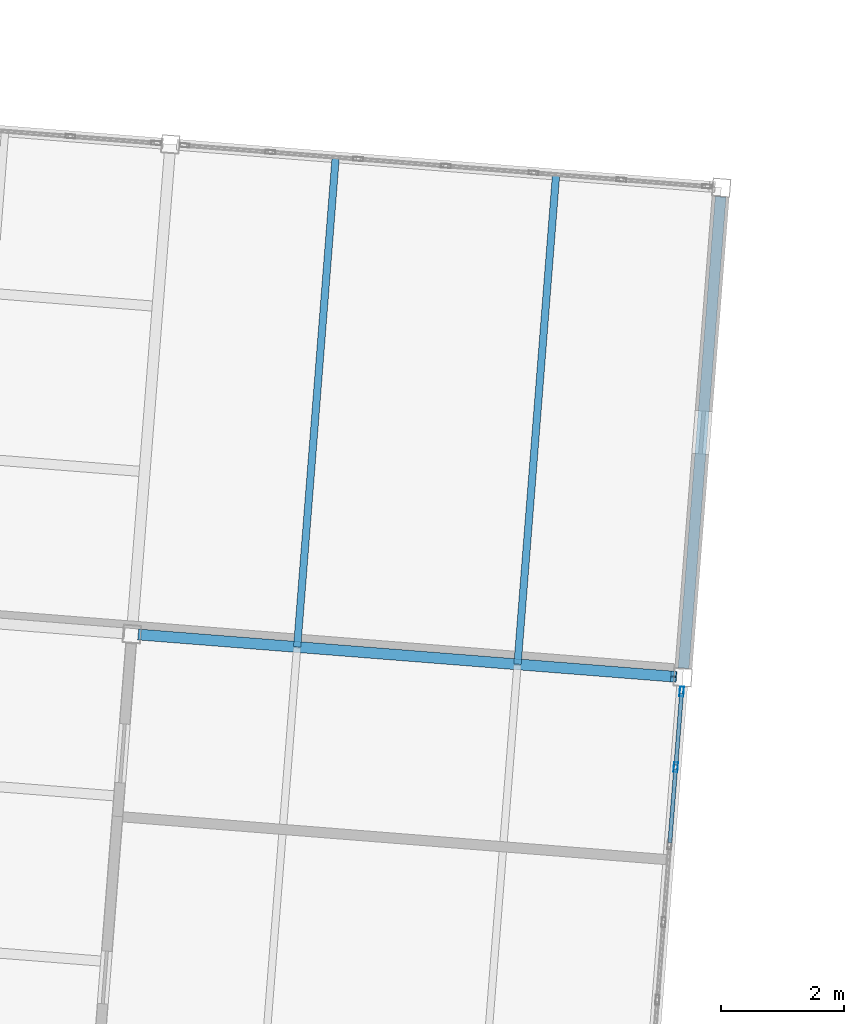
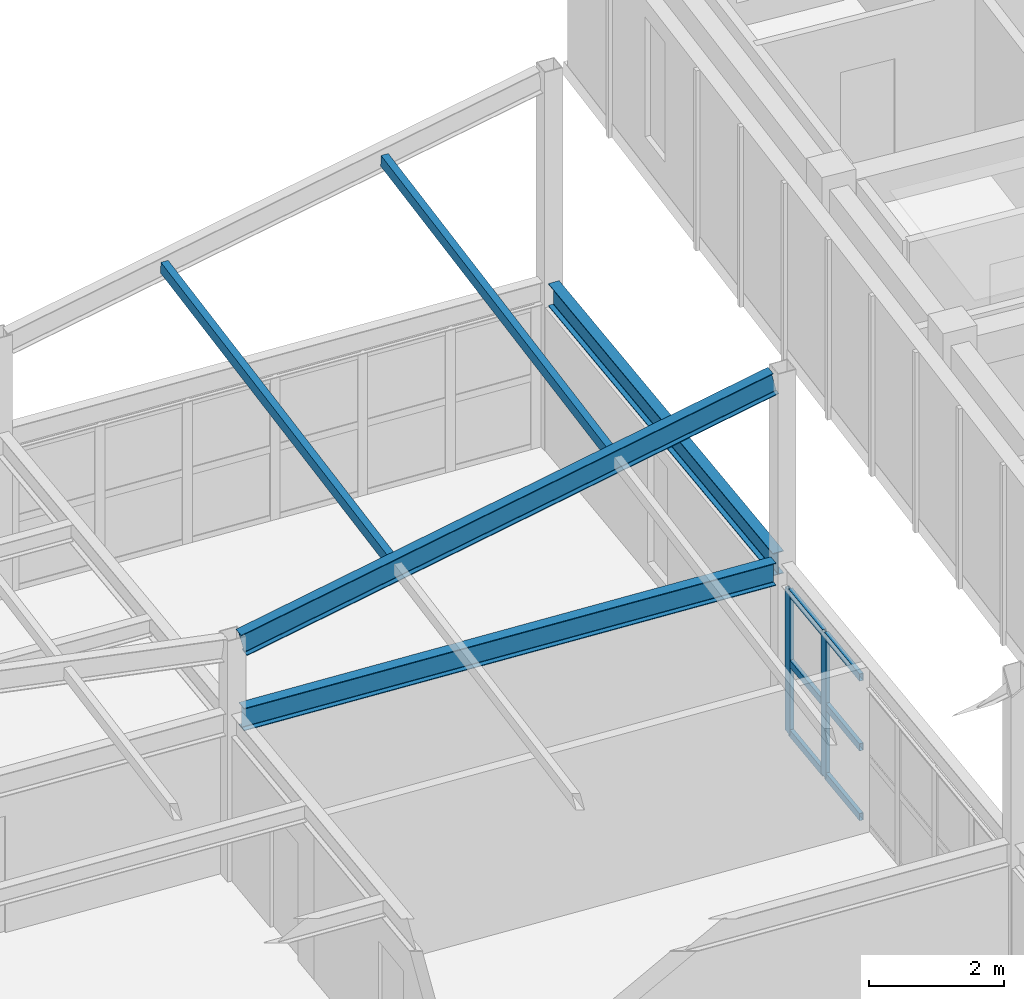
# One storey, part 52 of 127: 10 members, 3 beams, 1 element without a shape of its own.
"""IFC4 building model written with IfcOpenShell, lengths in metres."""

import ifcopenshell
import ifcopenshell.guid

model = None  # the IFC model being written
_history = None  # IfcOwnerHistory: only IFC2X3 demands one
_inside = {}  # id of a spatial element -> (the spatial element, [elements in it])
_under = {}  # id of a project, library or spatial element -> (it, [spatial elements below it])
_declared = {}  # id of a project -> (the project, [libraries it declares])
_typed = {}  # id of a type object -> (the type object, [elements of that type])
_made_of = {}  # id of a material, layer set ... -> (it, [elements and type objects made of it])


def new_model(schema):
    """Start an empty IFC model of exactly this schema.

    Asked for "IFC4X3", IfcOpenShell would pick the latest addendum, in which some entities
    have other attributes; the version numbers below select the first issue.
    IFC2X3 requires an IfcOwnerHistory on every rooted entity: one is made here for all.
    """
    global model, _history
    if schema == "IFC4X3":
        model = ifcopenshell.file(schema_version=(4, 3, 0, 0))
    else:
        model = ifcopenshell.file(schema=schema)
    _inside.clear()
    _under.clear()
    _declared.clear()
    _typed.clear()
    _made_of.clear()
    _history = None
    if model.schema == "IFC2X3":
        org = make("IfcOrganization", Name="unknown")
        user = make(
            "IfcPersonAndOrganization",
            ThePerson=make("IfcPerson", FamilyName="unknown"),
            TheOrganization=org,
        )
        app = make(
            "IfcApplication",
            ApplicationDeveloper=org,
            Version="unknown",
            ApplicationFullName="unknown",
            ApplicationIdentifier="unknown",
        )
        _history = make(
            "IfcOwnerHistory",
            OwningUser=user,
            OwningApplication=app,
            ChangeAction="ADDED",
            CreationDate=0,
        )
    return model


def make(cls, **values):
    """One entity of the class cls with the attributes given. An attribute that is None is left unset."""
    return model.create_entity(
        cls, **{name: value for name, value in values.items() if value is not None}
    )


def rooted(cls, **values):
    """An entity with a GlobalId (a new one), such as an element, a storey or a relation."""
    return make(cls, GlobalId=ifcopenshell.guid.new(), OwnerHistory=_history, **values)


def si_unit(unit_type, name, prefix=None):
    """IfcSIUnit, for example si_unit("LENGTHUNIT", "METRE", prefix="MILLI")."""
    return make("IfcSIUnit", UnitType=unit_type, Prefix=prefix, Name=name)


def assignment(units):
    """IfcUnitAssignment: the units of a project."""
    return None if units is None else make("IfcUnitAssignment", Units=units)


def point(xyz):
    """IfcCartesianPoint."""
    return None if xyz is None else make("IfcCartesianPoint", Coordinates=xyz)


def direction(xyz):
    """IfcDirection."""
    return None if xyz is None else make("IfcDirection", DirectionRatios=xyz)


def frame(location, z_axis=None, x_axis=None):
    """IfcAxis2Placement3D, a coordinate frame: its origin and axes. An axis left out is left unset."""
    return make(
        "IfcAxis2Placement3D",
        Location=point(location),
        Axis=direction(z_axis),
        RefDirection=direction(x_axis),
    )


def frame_2d(location, x_axis=None):
    """IfcAxis2Placement2D, a coordinate frame in the plane: its origin and x axis."""
    return make(
        "IfcAxis2Placement2D", Location=point(location), RefDirection=direction(x_axis)
    )


def origin():
    """The frame at (0, 0, 0) with its axes left unset."""
    return frame((0.0, 0.0, 0.0))


def origin_2d():
    """The frame at (0, 0) in the plane with its x axis left unset."""
    return frame_2d((0.0, 0.0))


def place(relative_to, where):
    """IfcLocalPlacement: puts the frame where relative to a parent placement (None: the world)."""
    return make(
        "IfcLocalPlacement", PlacementRelTo=relative_to, RelativePlacement=where
    )


def context(
    kind, dimensions, precision=None, world=None, true_north=None, identifier=None
):
    """IfcGeometricRepresentationContext, for example the 3D "Model" context."""
    return make(
        "IfcGeometricRepresentationContext",
        ContextIdentifier=identifier,
        ContextType=kind,
        CoordinateSpaceDimension=dimensions,
        Precision=precision,
        WorldCoordinateSystem=world,
        TrueNorth=true_north,
    )


def subcontext(parent, identifier, kind, view, scale=None):
    """IfcGeometricRepresentationSubContext, for example "Body" below "Model"."""
    return make(
        "IfcGeometricRepresentationSubContext",
        ContextIdentifier=identifier,
        ContextType=kind,
        ParentContext=parent,
        TargetScale=scale,
        TargetView=view,
    )


def project(units=None, contexts=None):
    """IfcProject with its units and contexts."""
    return rooted(
        "IfcProject",
        Name="project",
        RepresentationContexts=contexts,
        UnitsInContext=assignment(units),
    )


def spatial(cls, under=None, at=None, **own):
    """A site, building, storey or space (cls), placed at a placement, below another one or the project."""
    s = rooted(cls, ObjectPlacement=at, **own)
    if under is not None:
        _under.setdefault(under.id(), (under, []))[1].append(s)
    return s


def profile(cls, at=None, kind="AREA", **sizes):
    """A parametric profile (cls). Its sizes go by their IFC names, for example OverallWidth=200.0."""
    return make(cls, ProfileType=kind, Position=at, **sizes)


def hollow_rectangle(**sizes):
    """IfcRectangleHollowProfileDef."""
    return profile("IfcRectangleHollowProfileDef", **sizes)


def i_section(**sizes):
    """IfcIShapeProfileDef."""
    return profile("IfcIShapeProfileDef", **sizes)


def extrude(swept, where, along, depth):
    """IfcExtrudedAreaSolid: the profile swept, set in the frame where, extruded along a direction by depth."""
    return make(
        "IfcExtrudedAreaSolid",
        SweptArea=swept,
        Position=where,
        ExtrudedDirection=direction(along),
        Depth=depth,
    )


def shape(context_of_items, identifier, shape_type, items):
    """IfcShapeRepresentation: the items that make up one representation, for example the "Body"."""
    return make(
        "IfcShapeRepresentation",
        ContextOfItems=context_of_items,
        RepresentationIdentifier=identifier,
        RepresentationType=shape_type,
        Items=items,
    )


def material(Name=None, Category=None):
    """IfcMaterial."""
    return make("IfcMaterial", Name=Name, Category=Category)


def material_profile(
    of_material, cross_section, Name=None, Category=None, Priority=None
):
    """IfcMaterialProfile: a cross section and its material."""
    return make(
        "IfcMaterialProfile",
        Name=Name,
        Material=of_material,
        Profile=cross_section,
        Priority=Priority,
        Category=Category,
    )


def profile_set(profiles, Name=None, composite=None):
    """IfcMaterialProfileSet."""
    return make(
        "IfcMaterialProfileSet",
        Name=Name,
        MaterialProfiles=profiles,
        CompositeProfile=composite,
    )


def made_of(thing, what):
    """Note that an element or type object is made of a material, layer set ...; save() writes the relation."""
    if what is not None:
        _made_of.setdefault(what.id(), (what, []))[1].append(thing)
    return thing


def type_object(cls, material=None, **own):
    """A type object (cls), such as IfcWallType, which elements share."""
    return made_of(rooted(cls, **own), material)


def element(
    cls,
    number,
    at=None,
    inside=None,
    cuts=None,
    type_object=None,
    material=None,
    context=None,
    identifier="Body",
    shape_type=None,
    held_by="IfcProductDefinitionShape",
    body=None,
    shapes=None,
    **own,
):
    """One element of the class cls, such as IfcWall. Its Tag is "e" and its number.

    at: its placement. inside: the storey or other place that contains it. cuts: it is an
    opening in that element (IfcRelVoidsElement). A single representation is given by context,
    identifier, shape_type and body (its items); several are given by shapes. held_by: the class
    of the entity that holds the representations. save() writes the other relations.
    """
    e = rooted(cls, Tag="e%d" % number, ObjectPlacement=at, **own)
    if body is not None:
        shapes = [shape(context, identifier, shape_type, body)]
    if shapes is not None:
        e.Representation = make(held_by, Representations=shapes)
    if inside is not None:
        _inside.setdefault(inside.id(), (inside, []))[1].append(e)
    if cuts is not None:
        rooted(
            "IfcRelVoidsElement", RelatingBuildingElement=cuts, RelatedOpeningElement=e
        )
    if type_object is not None:
        _typed.setdefault(type_object.id(), (type_object, []))[1].append(e)
    return made_of(e, material)


def aggregate(whole, parts):
    """IfcRelAggregates: a whole, such as a stair, and the parts it consists of."""
    return rooted("IfcRelAggregates", RelatingObject=whole, RelatedObjects=parts)


def save(model, path):
    """Write the relations noted so far, then the file.

    IfcRelAggregates (storeys below a building ...), IfcRelContainedInSpatialStructure (elements
    in a storey), IfcRelDefinesByType, IfcRelAssociatesMaterial and IfcRelDeclares: one each for
    every whole, place, type object, material and project.
    """
    for whole, parts in _under.values():
        aggregate(whole, parts)
    for where, things in _inside.values():
        rooted(
            "IfcRelContainedInSpatialStructure",
            RelatedElements=things,
            RelatingStructure=where,
        )
    for kind, things in _typed.values():
        rooted("IfcRelDefinesByType", RelatedObjects=things, RelatingType=kind)
    for what, things in _made_of.values():
        rooted("IfcRelAssociatesMaterial", RelatedObjects=things, RelatingMaterial=what)
    for by, libraries in _declared.values():
        rooted("IfcRelDeclares", RelatingContext=by, RelatedDefinitions=libraries)
    model.write(path)


model = new_model("IFC4")

# Units and contexts
model_context = context("Model", 3, precision=1e-05, world=origin(), true_north=direction((0.0, 1.0)))
body_context = subcontext(model_context, "Body", "Model", "MODEL_VIEW")
ifc_project = project(units=[si_unit("LENGTHUNIT", "METRE"), si_unit("AREAUNIT", "SQUARE_METRE"), si_unit("VOLUMEUNIT", "CUBIC_METRE"), si_unit("PLANEANGLEUNIT", "RADIAN"), si_unit("MASSUNIT", "GRAM", prefix="KILO")], contexts=[model_context])

# Site, building, storey
site_placement = place(None, origin())
site = spatial("IfcSite", under=ifc_project, at=site_placement, CompositionType="ELEMENT")
building_placement = place(site_placement, origin())
building = spatial("IfcBuilding", under=site, at=building_placement, Name="Kestramere Prow Commons", CompositionType="ELEMENT")
storey_placement = place(building_placement, frame((0.0, 0.0, 8.39990234375)))
storey = spatial("IfcBuildingStorey", under=building, at=storey_placement, Name="L02", CompositionType="ELEMENT", Elevation=8.39990234375)

# Beams
ifc_material_1 = material(Name="Steel S355JR", Category="steel")
ifc_material_profile_1 = material_profile(ifc_material_1, i_section(OverallWidth=0.177978515625, OverallDepth=0.406494140625, WebThickness=0.0078125, FlangeThickness=0.0126953125, FilletRadius=0.01025390625, at=origin_2d()), Name="UB 406x178x60")
ifc_profile_set_1 = profile_set([ifc_material_profile_1], Name="Steel S355JR")
beam_type_1 = type_object("IfcBeamType", Name="BM-NR-01 UB 406x178x60", PredefinedType="BEAM", material=ifc_profile_set_1)
beam_1_placement = place(storey_placement, frame((96.921630859375, 99.320556640625, 2.796875), z_axis=(0.996917066238, -0.078462494502, 0.0), x_axis=(0.078462494502, 0.996917066238, 0.0)))
element("IfcBeam", 1, at=beam_1_placement, inside=storey, type_object=beam_type_1, Name="Nursery L02 Beam U 3-4", PredefinedType="BEAM", context=body_context, shape_type="SweptSolid", body=[
    extrude(i_section(OverallWidth=0.177978515625, OverallDepth=0.406494140625, WebThickness=0.0078125, FlangeThickness=0.0126953125, FilletRadius=0.01025390625, at=origin_2d()), origin(), (0.0, 0.0, 1.0), 8.699951171875),
])
beam_2_placement = place(storey_placement, frame((96.921630859375, 99.320556640625, 4.133544921875), z_axis=(0.969082353099, -0.076271759585, 0.234652959926), x_axis=(0.078462494502, 0.996917066238, 0.0)))
element("IfcBeam", 2, at=beam_2_placement, inside=storey, type_object=beam_type_1, Name="Nursery Butterfly Rafter 3-4", PredefinedType="BEAM", context=body_context, shape_type="SweptSolid", body=[
    extrude(i_section(OverallWidth=0.177978515625, OverallDepth=0.406494140625, WebThickness=0.0078125, FlangeThickness=0.0126953125, FilletRadius=0.01025390625, at=origin_2d()), origin(), (0.0, 0.0, 1.0), 8.94970703125),
])
ifc_material_profile_2 = material_profile(ifc_material_1, i_section(OverallWidth=0.177978515625, OverallDepth=0.406494140625, WebThickness=0.0078125, FlangeThickness=0.0126953125, FilletRadius=0.01025390625, at=origin_2d()), Name="UB 406x178x60")
ifc_profile_set_2 = profile_set([ifc_material_profile_2], Name="Steel S355JR")
beam_type_2 = type_object("IfcBeamType", Name="BM-NR-01 UB 406x178x60 (EX)", PredefinedType="BEAM", material=ifc_profile_set_2)
beam_3_placement = place(storey_placement, frame((105.756103515625, 98.775634765625, 2.796875), z_axis=(0.078473620365, 0.996916190513, 0.0), x_axis=(-0.996916190513, 0.078473620365, 0.0)))
element("IfcBeam", 3, at=beam_3_placement, inside=storey, type_object=beam_type_2, Name="Nursery L02 Beam V 5-3", PredefinedType="BEAM", context=body_context, shape_type="SweptSolid", body=[
    extrude(i_section(OverallWidth=0.177978515625, OverallDepth=0.406494140625, WebThickness=0.0078125, FlangeThickness=0.0126953125, FilletRadius=0.01025390625, at=origin_2d()), origin(), (0.0, 0.0, 1.0), 7.699951171875),
])

# Curtain wall, members
ifc_material_2 = material(Name="Anodised Aluminium and Low-E Glass", Category="aluminium")
curtain_wall_type = type_object("IfcCurtainWallType", Name="CW-18 Glazed Curtain Wall 7600x2580", PredefinedType="USERDEFINED", material=ifc_material_2)
curtain_wall_placement = place(storey_placement, origin())
curtain_wall = element("IfcCurtainWall", 4, at=curtain_wall_placement, inside=storey, type_object=curtain_wall_type, Name="Nursery L02 E End Glazing", ObjectType="GLAZED CURTAIN WALL", PredefinedType="USERDEFINED")
ifc_material_3 = material(Name="Anodised Aluminium 6063-T6", Category="aluminium")
ifc_material_profile_3 = material_profile(ifc_material_3, hollow_rectangle(XDim=0.06494140625, YDim=0.159912109375, WallThickness=0.00390625, at=origin_2d()), Name="ALU-MUL 65x160")
ifc_profile_set_3 = profile_set([ifc_material_profile_3], Name="Anodised Aluminium 6063-T6")
member_type_1 = type_object("IfcMemberType", Name="CW-MUL-65x160", PredefinedType="MULLION", material=ifc_profile_set_3)
member_1_placement = place(storey_placement, frame((105.72607421875, 98.394287109375, 0.0), z_axis=(0.0, 0.0, 1.0), x_axis=(0.996917334449, -0.078459086628, 0.0)))
member_1 = element("IfcMember", 5, at=member_1_placement, type_object=member_type_1, Name="CW-18 mullion 1", PredefinedType="MULLION", context=body_context, shape_type="SweptSolid", body=[
    extrude(hollow_rectangle(XDim=0.06494140625, YDim=0.159912109375, WallThickness=0.00390625, at=origin_2d()), origin(), (0.0, 0.0, 1.0), 2.580078125),
])
member_2_placement = place(storey_placement, frame((105.62939453125, 97.1640625, 0.0), z_axis=(0.0, 0.0, 1.0), x_axis=(0.996917334449, -0.078459086628, 0.0)))
member_2 = element("IfcMember", 6, at=member_2_placement, type_object=member_type_1, Name="CW-18 mullion 2", PredefinedType="MULLION", context=body_context, shape_type="SweptSolid", body=[
    extrude(hollow_rectangle(XDim=0.06494140625, YDim=0.159912109375, WallThickness=0.00390625, at=origin_2d()), origin(), (0.0, 0.0, 1.0), 2.580078125),
])
ifc_material_profile_4 = material_profile(ifc_material_3, hollow_rectangle(XDim=0.06494140625, YDim=0.1298828125, WallThickness=0.00390625, at=origin_2d()), Name="ALU-TRN 65x130")
ifc_profile_set_4 = profile_set([ifc_material_profile_4], Name="Anodised Aluminium 6063-T6")
member_type_2 = type_object("IfcMemberType", Name="CW-TRN-65x130", PredefinedType="USERDEFINED", material=ifc_profile_set_4)
member_3_placement = place(storey_placement, frame((105.7236328125, 98.362060546875, 0.03271484375), z_axis=(-0.078500459295, -0.996914077486, 0.0), x_axis=(0.996914077486, -0.078500459295, 0.0)))
member_3 = element("IfcMember", 7, at=member_3_placement, type_object=member_type_2, Name="CW-18 transom 1.1", ObjectType="TRANSOM", PredefinedType="USERDEFINED", context=body_context, shape_type="SweptSolid", body=[
    extrude(hollow_rectangle(XDim=0.06494140625, YDim=0.1298828125, WallThickness=0.00390625, at=origin_2d()), origin(), (0.0, 0.0, 1.0), 1.16943359375),
])
member_4_placement = place(storey_placement, frame((105.7236328125, 98.362060546875, 1.2900390625), z_axis=(-0.078500459295, -0.996914077486, 0.0), x_axis=(0.996914077486, -0.078500459295, 0.0)))
member_4 = element("IfcMember", 8, at=member_4_placement, type_object=member_type_2, Name="CW-18 transom 1.2", ObjectType="TRANSOM", PredefinedType="USERDEFINED", context=body_context, shape_type="SweptSolid", body=[
    extrude(hollow_rectangle(XDim=0.06494140625, YDim=0.1298828125, WallThickness=0.00390625, at=origin_2d()), origin(), (0.0, 0.0, 1.0), 1.16943359375),
])
member_5_placement = place(storey_placement, frame((105.7236328125, 98.362060546875, 2.547607421875), z_axis=(-0.078500459295, -0.996914077486, 0.0), x_axis=(0.996914077486, -0.078500459295, 0.0)))
member_5 = element("IfcMember", 9, at=member_5_placement, type_object=member_type_2, Name="CW-18 transom 1.3", ObjectType="TRANSOM", PredefinedType="USERDEFINED", context=body_context, shape_type="SweptSolid", body=[
    extrude(hollow_rectangle(XDim=0.06494140625, YDim=0.1298828125, WallThickness=0.00390625, at=origin_2d()), origin(), (0.0, 0.0, 1.0), 1.16943359375),
])
member_6_placement = place(storey_placement, frame((105.626708984375, 97.131591796875, 0.03271484375), z_axis=(-0.078420878648, -0.996920340745, 0.0), x_axis=(0.996920340745, -0.078420878648, 0.0)))
member_6 = element("IfcMember", 10, at=member_6_placement, type_object=member_type_2, Name="CW-18 transom 2.1", ObjectType="TRANSOM", PredefinedType="USERDEFINED", context=body_context, shape_type="SweptSolid", body=[
    extrude(hollow_rectangle(XDim=0.06494140625, YDim=0.1298828125, WallThickness=0.00390625, at=origin_2d()), origin(), (0.0, 0.0, 1.0), 1.20166015625),
])
member_7_placement = place(storey_placement, frame((105.626708984375, 97.131591796875, 1.2900390625), z_axis=(-0.078420878648, -0.996920340745, 0.0), x_axis=(0.996920340745, -0.078420878648, 0.0)))
member_7 = element("IfcMember", 11, at=member_7_placement, type_object=member_type_2, Name="CW-18 transom 2.2", ObjectType="TRANSOM", PredefinedType="USERDEFINED", context=body_context, shape_type="SweptSolid", body=[
    extrude(hollow_rectangle(XDim=0.06494140625, YDim=0.1298828125, WallThickness=0.00390625, at=origin_2d()), origin(), (0.0, 0.0, 1.0), 1.20166015625),
])
member_8_placement = place(storey_placement, frame((105.626708984375, 97.131591796875, 2.547607421875), z_axis=(-0.078420878648, -0.996920340745, 0.0), x_axis=(0.996920340745, -0.078420878648, 0.0)))
member_8 = element("IfcMember", 12, at=member_8_placement, type_object=member_type_2, Name="CW-18 transom 2.3", ObjectType="TRANSOM", PredefinedType="USERDEFINED", context=body_context, shape_type="SweptSolid", body=[
    extrude(hollow_rectangle(XDim=0.06494140625, YDim=0.1298828125, WallThickness=0.00390625, at=origin_2d()), origin(), (0.0, 0.0, 1.0), 1.20166015625),
])
aggregate(curtain_wall, [member_1, member_2, member_3, member_4, member_5, member_6, member_7, member_8])

# Members
ifc_material_profile_5 = material_profile(ifc_material_1, hollow_rectangle(XDim=0.1201171875, YDim=0.199951171875, WallThickness=0.008056640625, at=origin_2d()), Name="RHS 200x120x8")
ifc_profile_set_5 = profile_set([ifc_material_profile_5], Name="Steel S355JR")
member_type_3 = type_object("IfcMemberType", Name="PUR-NR-01 RHS 200x120x8", PredefinedType="PURLIN", material=ifc_profile_set_5)
for number, where, z_axis, x_axis, name in (
    (13, (99.46435546875, 99.12841796875, 4.703857421875), (0.078374248355, 0.995774452398, 0.047861436934), (-0.996916934406, 0.078464169489, 0.0), "Nursery Roof Purlin 4-3-3"),
    (14, (103.05322265625, 98.845947265625, 5.5439453125), (0.078374248355, 0.995774452398, 0.047861436934), (-0.996916934406, 0.078464169489, 0.0), "Nursery Roof Purlin 4-3-7"),
):
    element("IfcMember", number, at=place(storey_placement, frame(where, z_axis=z_axis, x_axis=x_axis)), inside=storey, type_object=member_type_3, Name=name, PredefinedType="PURLIN", context=body_context, shape_type="SweptSolid", body=[
        extrude(hollow_rectangle(XDim=0.1201171875, YDim=0.199951171875, WallThickness=0.008056640625, at=origin_2d()), origin(), (0.0, 0.0, 1.0), 7.9931640625),
    ])

save(model, "model.ifc")
